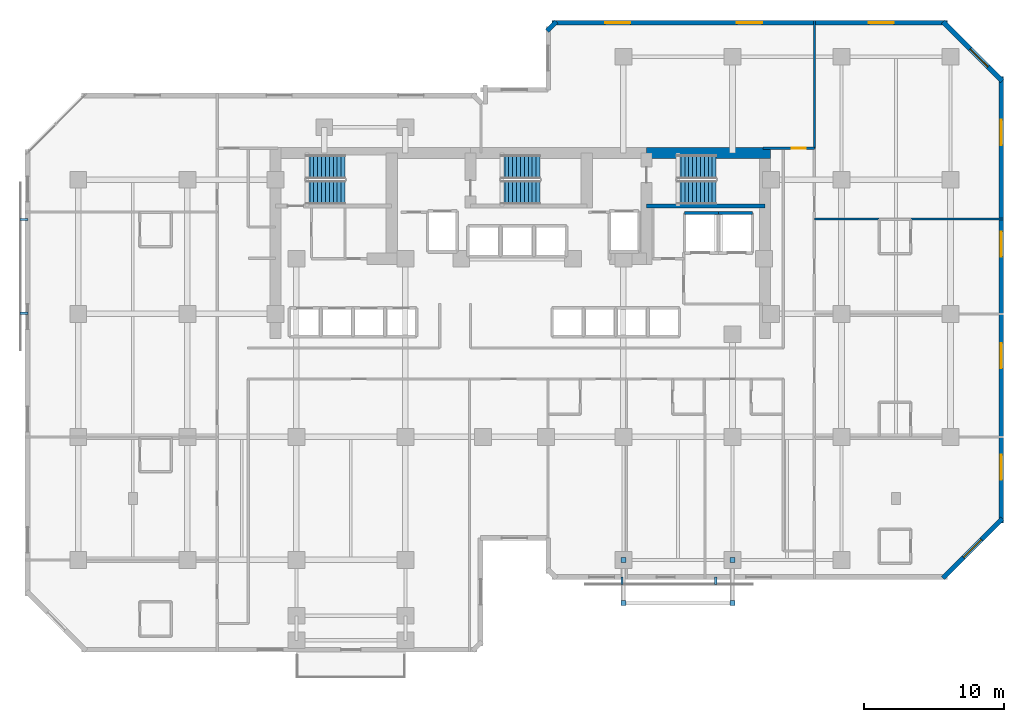
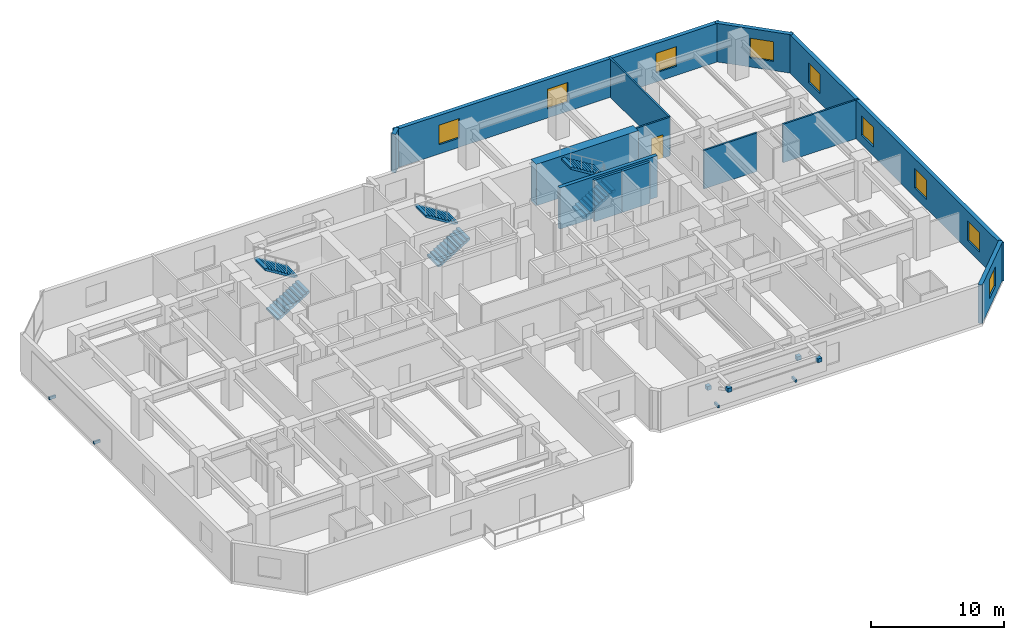
# One storey, part 10 of 12: 13 walls, 9 windows, 8 discrete accessories, 6 stair flights, 1 door, 10 openings, 3 elements without a shape of their own.
"""IFC4 building model written with IfcOpenShell, lengths in metres."""

from ifc_helpers import new_model, si_unit, direction, frame, frame_2d, origin, origin_2d, place, context, subcontext, project, spatial, polyline, rectangle, outline, extrude, material, layer, layer_set, type_object, element, fill, aggregate, save


model = new_model("IFC4")

# Units and contexts
model_context = context("Model", 3, precision=1e-05, world=origin(), true_north=direction((0.0, 1.0)))
body_context = subcontext(model_context, "Body", "Model", "MODEL_VIEW")
ifc_project = project(units=[si_unit("LENGTHUNIT", "METRE"), si_unit("AREAUNIT", "SQUARE_METRE"), si_unit("VOLUMEUNIT", "CUBIC_METRE"), si_unit("PLANEANGLEUNIT", "RADIAN"), si_unit("MASSUNIT", "GRAM", prefix="KILO")], contexts=[model_context])

# Site, building, storey
site_placement = place(None, origin())
site = spatial("IfcSite", under=ifc_project, at=site_placement, CompositionType="ELEMENT")
building_placement = place(site_placement, origin())
building = spatial("IfcBuilding", under=site, at=building_placement, Name="Kestravale Grand Hotel", CompositionType="ELEMENT")
storey_placement = place(building_placement, frame((0.0, 0.0, 103.199951171875)))
storey = spatial("IfcBuildingStorey", under=building, at=storey_placement, Name="L25", CompositionType="ELEMENT", Elevation=103.199951171875)

# Wall
ifc_material_1 = material(Name="Concrete f'c 60 MPa", Category="concrete")
ifc_layer_1 = layer(ifc_material_1, 0.800048828125)
ifc_layer_set_1 = layer_set([ifc_layer_1], Name="EW-CORE-800")
wall_type_1 = type_object("IfcWallType", Name="EW-CORE-800", PredefinedType="SHEAR", material=ifc_layer_set_1)
wall_1_placement = place(storey_placement, frame((48.449951171875, 40.320068359375, 0.0), z_axis=(0.0, 0.0, 1.0), x_axis=(1.0, 0.0, 0.0)))
element("IfcWall", 1, at=wall_1_placement, inside=storey, type_object=wall_type_1, Name="L25 core shear wall N3", PredefinedType="SHEAR", context=body_context, shape_type="SweptSolid", body=[
    extrude(rectangle(XDim=8.8701171875, YDim=0.800048828125, at=frame_2d((4.43505859375, 0.0))), origin(), (0.0, 0.0, 1.0), 3.800048828125),
])

# Wall, opening, window
ifc_material_2 = material(Name="Precast concrete f'c 45 MPa", Category="concrete")
ifc_layer_2 = layer(ifc_material_2, 0.340087890625)
ifc_layer_set_2 = layer_set([ifc_layer_2], Name="EW-PREC-340")
wall_type_2 = type_object("IfcWallType", Name="EW-PREC-340", PredefinedType="SOLIDWALL", material=ifc_layer_set_2)
wall_2_placement = place(storey_placement, frame((69.651611328125, 9.891845703125, 0.0), z_axis=(0.0, 0.0, 1.0), x_axis=(0.707106781187, 0.707106781187, 0.0)))
wall_2 = element("IfcWall", 2, at=wall_2_placement, inside=storey, type_object=wall_type_2, Name="L25 fluted precast facade wall 8", PredefinedType="SOLIDWALL", context=body_context, shape_type="SweptSolid", body=[
    extrude(rectangle(XDim=6.019775390625, YDim=0.340087890625, at=frame_2d((3.009765625, 0.0))), origin(), (0.0, 0.0, 1.0), 3.5400390625),
])
opening_1_placement = place(wall_2_placement, frame((2.10986328125, 0.0, 0.85009765625)))
opening_1 = element("IfcOpeningElement", 3, at=opening_1_placement, cuts=wall_2, Name="Opening W-GUEST-1800", PredefinedType="OPENING", context=body_context, shape_type="SweptSolid", body=[
    extrude(rectangle(XDim=1.800048828125, YDim=1.800048828125, at=frame_2d((0.89990234375, 0.89990234375))), frame((0.0, 0.179931640625, 0.0), z_axis=(0.0, -1.0, 0.0), x_axis=(1.0, 0.0, 0.0)), (0.0, 0.0, 1.0), 0.360107421875),
])
ifc_material_3 = material(Name="Insulated low-E double glazing in aluminium frame", Category="aluminium")
window_type = type_object("IfcWindowType", Name="W-GUEST-1800", PartitioningType="DOUBLE_PANEL_VERTICAL", PredefinedType="WINDOW", material=ifc_material_3)
window_1_placement = place(opening_1_placement, origin())
window_1 = element("IfcWindow", 4, at=window_1_placement, inside=storey, type_object=window_type, Name="L25 exterior window 8.1", OverallHeight=1.800048828125, OverallWidth=1.800048828125, PartitioningType="SINGLE_PANEL", PredefinedType="WINDOW", context=body_context, shape_type="SweptSolid", body=[
    extrude(rectangle(XDim=1.800048828125, YDim=1.800048828125, at=frame_2d((0.89990234375, 0.89990234375))), frame((0.0, 0.030029296875, 0.0), z_axis=(0.0, -1.0, 0.0), x_axis=(1.0, 0.0, 0.0)), (0.0, 0.0, 1.0), 0.06005859375),
])
fill(opening_1, window_1)

# Wall, openings, windows
wall_3_placement = place(storey_placement, frame((73.830078125, 13.830078125, 0.0), z_axis=(0.0, 0.0, 1.0), x_axis=(0.0, 1.0, 0.0)))
wall_3 = element("IfcWall", 5, at=wall_3_placement, inside=storey, type_object=wall_type_2, Name="L25 fluted precast facade wall 9", PredefinedType="SOLIDWALL", context=body_context, shape_type="SweptSolid", body=[
    extrude(rectangle(XDim=31.93994140625, YDim=0.340087890625, at=frame_2d((15.969970703125, 0.0))), origin(), (0.0, 0.0, 1.0), 3.5400390625),
])
opening_2_placement = place(wall_3_placement, frame((3.092529296875, 0.0, 0.85009765625)))
opening_2 = element("IfcOpeningElement", 6, at=opening_2_placement, cuts=wall_3, Name="Opening W-GUEST-1800", PredefinedType="OPENING", context=body_context, shape_type="SweptSolid", body=[
    extrude(rectangle(XDim=1.800048828125, YDim=1.800048828125, at=frame_2d((0.89990234375, 0.89990234375))), frame((0.0, 0.179931640625, 0.0), z_axis=(0.0, -1.0, 0.0), x_axis=(1.0, 0.0, 0.0)), (0.0, 0.0, 1.0), 0.360107421875),
])
opening_3_placement = place(wall_3_placement, frame((11.077392578125, 0.0, 0.85009765625)))
opening_3 = element("IfcOpeningElement", 7, at=opening_3_placement, cuts=wall_3, Name="Opening W-GUEST-1800", PredefinedType="OPENING", context=body_context, shape_type="SweptSolid", body=[
    extrude(rectangle(XDim=1.800048828125, YDim=1.800048828125, at=frame_2d((0.89990234375, 0.89990234375))), frame((0.0, 0.179931640625, 0.0), z_axis=(0.0, -1.0, 0.0), x_axis=(1.0, 0.0, 0.0)), (0.0, 0.0, 1.0), 0.360107421875),
])
opening_4_placement = place(wall_3_placement, frame((19.0625, 0.0, 0.85009765625)))
opening_4 = element("IfcOpeningElement", 8, at=opening_4_placement, cuts=wall_3, Name="Opening W-GUEST-1800", PredefinedType="OPENING", context=body_context, shape_type="SweptSolid", body=[
    extrude(rectangle(XDim=1.800048828125, YDim=1.800048828125, at=frame_2d((0.89990234375, 0.89990234375))), frame((0.0, 0.179931640625, 0.0), z_axis=(0.0, -1.0, 0.0), x_axis=(1.0, 0.0, 0.0)), (0.0, 0.0, 1.0), 0.360107421875),
])
opening_5_placement = place(wall_3_placement, frame((27.047607421875, 0.0, 0.85009765625)))
opening_5 = element("IfcOpeningElement", 9, at=opening_5_placement, cuts=wall_3, Name="Opening W-GUEST-1800", PredefinedType="OPENING", context=body_context, shape_type="SweptSolid", body=[
    extrude(rectangle(XDim=1.800048828125, YDim=1.800048828125, at=frame_2d((0.89990234375, 0.89990234375))), frame((0.0, 0.179931640625, 0.0), z_axis=(0.0, -1.0, 0.0), x_axis=(1.0, 0.0, 0.0)), (0.0, 0.0, 1.0), 0.360107421875),
])
window_2_placement = place(opening_2_placement, origin())
window_2 = element("IfcWindow", 10, at=window_2_placement, inside=storey, type_object=window_type, Name="L25 exterior window 9.1", OverallHeight=1.800048828125, OverallWidth=1.800048828125, PartitioningType="SINGLE_PANEL", PredefinedType="WINDOW", context=body_context, shape_type="SweptSolid", body=[
    extrude(rectangle(XDim=1.800048828125, YDim=1.800048828125, at=frame_2d((0.89990234375, 0.89990234375))), frame((0.0, 0.030029296875, 0.0), z_axis=(0.0, -1.0, 0.0), x_axis=(1.0, 0.0, 0.0)), (0.0, 0.0, 1.0), 0.06005859375),
])
fill(opening_2, window_2)
window_3_placement = place(opening_3_placement, origin())
window_3 = element("IfcWindow", 11, at=window_3_placement, inside=storey, type_object=window_type, Name="L25 exterior window 9.2", OverallHeight=1.800048828125, OverallWidth=1.800048828125, PartitioningType="SINGLE_PANEL", PredefinedType="WINDOW", context=body_context, shape_type="SweptSolid", body=[
    extrude(rectangle(XDim=1.800048828125, YDim=1.800048828125, at=frame_2d((0.89990234375, 0.89990234375))), frame((0.0, 0.030029296875, 0.0), z_axis=(0.0, -1.0, 0.0), x_axis=(1.0, 0.0, 0.0)), (0.0, 0.0, 1.0), 0.06005859375),
])
fill(opening_3, window_3)
window_4_placement = place(opening_4_placement, origin())
window_4 = element("IfcWindow", 12, at=window_4_placement, inside=storey, type_object=window_type, Name="L25 exterior window 9.3", OverallHeight=1.800048828125, OverallWidth=1.800048828125, PartitioningType="SINGLE_PANEL", PredefinedType="WINDOW", context=body_context, shape_type="SweptSolid", body=[
    extrude(rectangle(XDim=1.800048828125, YDim=1.800048828125, at=frame_2d((0.89990234375, 0.89990234375))), frame((0.0, 0.030029296875, 0.0), z_axis=(0.0, -1.0, 0.0), x_axis=(1.0, 0.0, 0.0)), (0.0, 0.0, 1.0), 0.06005859375),
])
fill(opening_4, window_4)
window_5_placement = place(opening_5_placement, origin())
window_5 = element("IfcWindow", 13, at=window_5_placement, inside=storey, type_object=window_type, Name="L25 exterior window 9.4", OverallHeight=1.800048828125, OverallWidth=1.800048828125, PartitioningType="SINGLE_PANEL", PredefinedType="WINDOW", context=body_context, shape_type="SweptSolid", body=[
    extrude(rectangle(XDim=1.800048828125, YDim=1.800048828125, at=frame_2d((0.89990234375, 0.89990234375))), frame((0.0, 0.030029296875, 0.0), z_axis=(0.0, -1.0, 0.0), x_axis=(1.0, 0.0, 0.0)), (0.0, 0.0, 1.0), 0.06005859375),
])
fill(opening_5, window_5)

# Wall, opening, window
wall_4_placement = place(storey_placement, frame((73.908203125, 45.451416015625, 0.0), z_axis=(0.0, 0.0, 1.0), x_axis=(-0.707106781187, 0.707106781187, 0.0)))
wall_4 = element("IfcWall", 14, at=wall_4_placement, inside=storey, type_object=wall_type_2, Name="L25 fluted precast facade wall 10", PredefinedType="SOLIDWALL", context=body_context, shape_type="SweptSolid", body=[
    extrude(rectangle(XDim=6.019775390625, YDim=0.340087890625, at=frame_2d((3.009765625, 0.0))), origin(), (0.0, 0.0, 1.0), 3.5400390625),
])
opening_6_placement = place(wall_4_placement, frame((1.4599609375, 0.0, 0.85009765625)))
opening_6 = element("IfcOpeningElement", 15, at=opening_6_placement, cuts=wall_4, Name="Opening W-GUEST-1800", PredefinedType="OPENING", context=body_context, shape_type="SweptSolid", body=[
    extrude(rectangle(XDim=1.800048828125, YDim=1.800048828125, at=frame_2d((0.89990234375, 0.89990234375))), frame((0.0, 0.179931640625, 0.0), z_axis=(0.0, -1.0, 0.0), x_axis=(1.0, 0.0, 0.0)), (0.0, 0.0, 1.0), 0.360107421875),
])
window_6_placement = place(opening_6_placement, origin())
window_6 = element("IfcWindow", 16, at=window_6_placement, inside=storey, type_object=window_type, Name="L25 exterior window 10.1", OverallHeight=1.800048828125, OverallWidth=1.800048828125, PartitioningType="SINGLE_PANEL", PredefinedType="WINDOW", context=body_context, shape_type="SweptSolid", body=[
    extrude(rectangle(XDim=1.800048828125, YDim=1.800048828125, at=frame_2d((0.89990234375, 0.89990234375))), frame((0.0, 0.030029296875, 0.0), z_axis=(0.0, -1.0, 0.0), x_axis=(1.0, 0.0, 0.0)), (0.0, 0.0, 1.0), 0.06005859375),
])
fill(opening_6, window_6)

# Wall, openings, windows
wall_5_placement = place(storey_placement, frame((69.969970703125, 49.6298828125, 0.0), z_axis=(0.0, 0.0, 1.0), x_axis=(-1.0, 0.0, 0.0)))
wall_5 = element("IfcWall", 17, at=wall_5_placement, inside=storey, type_object=wall_type_2, Name="L25 fluted precast facade wall 11", PredefinedType="SOLIDWALL", context=body_context, shape_type="SweptSolid", body=[
    extrude(rectangle(XDim=28.2900390625, YDim=0.340087890625, at=frame_2d((14.14501953125, 0.0))), origin(), (0.0, 0.0, 1.0), 3.5400390625),
])
opening_7_placement = place(wall_5_placement, frame((3.81494140625, 0.0, 0.85009765625)))
opening_7 = element("IfcOpeningElement", 18, at=opening_7_placement, cuts=wall_5, Name="Opening W-GUEST-1800", PredefinedType="OPENING", context=body_context, shape_type="SweptSolid", body=[
    extrude(rectangle(XDim=1.800048828125, YDim=1.800048828125, at=frame_2d((0.89990234375, 0.89990234375))), frame((0.0, 0.179931640625, 0.0), z_axis=(0.0, -1.0, 0.0), x_axis=(1.0, 0.0, 0.0)), (0.0, 0.0, 1.0), 0.360107421875),
])
opening_8_placement = place(wall_5_placement, frame((13.2451171875, 0.0, 0.85009765625)))
opening_8 = element("IfcOpeningElement", 19, at=opening_8_placement, cuts=wall_5, Name="Opening W-GUEST-1800", PredefinedType="OPENING", context=body_context, shape_type="SweptSolid", body=[
    extrude(rectangle(XDim=1.800048828125, YDim=1.800048828125, at=frame_2d((0.89990234375, 0.89990234375))), frame((0.0, 0.179931640625, 0.0), z_axis=(0.0, -1.0, 0.0), x_axis=(1.0, 0.0, 0.0)), (0.0, 0.0, 1.0), 0.360107421875),
])
opening_9_placement = place(wall_5_placement, frame((22.675048828125, 0.0, 0.85009765625)))
opening_9 = element("IfcOpeningElement", 20, at=opening_9_placement, cuts=wall_5, Name="Opening W-GUEST-1800", PredefinedType="OPENING", context=body_context, shape_type="SweptSolid", body=[
    extrude(rectangle(XDim=1.800048828125, YDim=1.800048828125, at=frame_2d((0.89990234375, 0.89990234375))), frame((0.0, 0.179931640625, 0.0), z_axis=(0.0, -1.0, 0.0), x_axis=(1.0, 0.0, 0.0)), (0.0, 0.0, 1.0), 0.360107421875),
])
window_7_placement = place(opening_7_placement, origin())
window_7 = element("IfcWindow", 21, at=window_7_placement, inside=storey, type_object=window_type, Name="L25 exterior window 11.1", OverallHeight=1.800048828125, OverallWidth=1.800048828125, PartitioningType="SINGLE_PANEL", PredefinedType="WINDOW", context=body_context, shape_type="SweptSolid", body=[
    extrude(rectangle(XDim=1.800048828125, YDim=1.800048828125, at=frame_2d((0.89990234375, 0.89990234375))), frame((0.0, 0.030029296875, 0.0), z_axis=(0.0, -1.0, 0.0), x_axis=(1.0, 0.0, 0.0)), (0.0, 0.0, 1.0), 0.06005859375),
])
fill(opening_7, window_7)
window_8_placement = place(opening_8_placement, origin())
window_8 = element("IfcWindow", 22, at=window_8_placement, inside=storey, type_object=window_type, Name="L25 exterior window 11.2", OverallHeight=1.800048828125, OverallWidth=1.800048828125, PartitioningType="SINGLE_PANEL", PredefinedType="WINDOW", context=body_context, shape_type="SweptSolid", body=[
    extrude(rectangle(XDim=1.800048828125, YDim=1.800048828125, at=frame_2d((0.89990234375, 0.89990234375))), frame((0.0, 0.030029296875, 0.0), z_axis=(0.0, -1.0, 0.0), x_axis=(1.0, 0.0, 0.0)), (0.0, 0.0, 1.0), 0.06005859375),
])
fill(opening_8, window_8)
window_9_placement = place(opening_9_placement, origin())
window_9 = element("IfcWindow", 23, at=window_9_placement, inside=storey, type_object=window_type, Name="L25 exterior window 11.3", OverallHeight=1.800048828125, OverallWidth=1.800048828125, PartitioningType="SINGLE_PANEL", PredefinedType="WINDOW", context=body_context, shape_type="SweptSolid", body=[
    extrude(rectangle(XDim=1.800048828125, YDim=1.800048828125, at=frame_2d((0.89990234375, 0.89990234375))), frame((0.0, 0.030029296875, 0.0), z_axis=(0.0, -1.0, 0.0), x_axis=(1.0, 0.0, 0.0)), (0.0, 0.0, 1.0), 0.06005859375),
])
fill(opening_9, window_9)

# Walls
wall_6_placement = place(storey_placement, frame((41.99853515625, 49.7080078125, 0.0), z_axis=(0.0, 0.0, 1.0), x_axis=(-0.707238225886, -0.706975312048, 0.0)))
element("IfcWall", 24, at=wall_6_placement, inside=storey, type_object=wall_type_2, Name="L25 fluted precast facade wall 12", PredefinedType="SOLIDWALL", context=body_context, shape_type="SweptSolid", body=[
    extrude(rectangle(XDim=0.9287109375, YDim=0.340087890625, at=frame_2d((0.46435546875, 0.0))), origin(), (0.0, 0.0, 1.0), 3.5400390625),
])
ifc_material_4 = material(Name="Concrete f'c 45 MPa", Category="concrete")
ifc_layer_3 = layer(ifc_material_4, 0.300048828125)
ifc_layer_set_3 = layer_set([ifc_layer_3], Name="EW-STAIR-300")
wall_type_3 = type_object("IfcWallType", Name="EW-STAIR-300", PredefinedType="SHEAR", material=ifc_layer_set_3)
wall_7_placement = place(storey_placement, frame((48.449951171875, 36.52001953125, 0.0), z_axis=(0.0, 0.0, 1.0), x_axis=(1.0, 0.0, 0.0)))
element("IfcWall", 25, at=wall_7_placement, inside=storey, type_object=wall_type_3, Name="L25 stair enclosure shear wall SST3", PredefinedType="SHEAR", context=body_context, shape_type="SweptSolid", body=[
    extrude(rectangle(XDim=8.469970703125, YDim=0.300048828125, at=frame_2d((4.23486328125, 0.0))), origin(), (0.0, 0.0, 1.0), 3.800048828125),
])
ifc_material_5 = material(Name="Concrete f'c 45 MPa", Category="concrete")
ifc_layer_4 = layer(ifc_material_5, 0.219970703125)
ifc_layer_set_4 = layer_set([ifc_layer_4], Name="IW-SHAFT-220")
wall_type_4 = type_object("IfcWallType", Name="IW-SHAFT-220", PredefinedType="SHEAR", material=ifc_layer_set_4)
wall_8_placement = place(storey_placement, frame((51.179931640625, 36.030029296875, 0.0), z_axis=(0.0, 0.0, 1.0), x_axis=(1.0, 0.0, 0.0)))
element("IfcWall", 26, at=wall_8_placement, inside=storey, type_object=wall_type_4, Name="L25 SL-1 north shaft wall", PredefinedType="SHEAR", context=body_context, shape_type="SweptSolid", body=[
    extrude(rectangle(XDim=2.420166015625, YDim=0.219970703125, at=frame_2d((1.2099609375, 0.0))), origin(), (0.0, 0.0, 1.0), 3.800048828125),
])
wall_9_placement = place(storey_placement, frame((53.60009765625, 36.030029296875, 0.0), z_axis=(0.0, 0.0, 1.0), x_axis=(1.0, 0.0, 0.0)))
element("IfcWall", 27, at=wall_9_placement, inside=storey, type_object=wall_type_4, Name="L25 SL-2 north shaft wall", PredefinedType="SHEAR", context=body_context, shape_type="SweptSolid", body=[
    extrude(rectangle(XDim=2.419921875, YDim=0.219970703125, at=frame_2d((1.2099609375, 0.0))), origin(), (0.0, 0.0, 1.0), 3.800048828125),
])

# Wall, opening, door
ifc_material_6 = material(Name="Double-stud STC 52 acoustic demising partition", Category="other")
ifc_layer_5 = layer(ifc_material_6, 0.14990234375)
ifc_layer_set_5 = layer_set([ifc_layer_5], Name="IW-UNIT-150")
wall_type_5 = type_object("IfcWallType", Name="IW-UNIT-150", PredefinedType="PARTITIONING", material=ifc_layer_set_5)
wall_10_placement = place(storey_placement, frame((56.800048828125, 40.64990234375, 0.0), z_axis=(0.0, 0.0, 1.0), x_axis=(1.0, 0.0, 0.0)))
wall_10 = element("IfcWall", 28, at=wall_10_placement, inside=storey, type_object=wall_type_5, Name="W-L25-SE-N", PredefinedType="PARTITIONING", context=body_context, shape_type="SweptSolid", body=[
    extrude(rectangle(XDim=3.659912109375, YDim=0.14990234375, at=frame_2d((1.830078125, 0.0))), origin(), (0.0, 0.0, 1.0), 3.5400390625),
])
opening_10_placement = place(wall_10_placement, frame((2.050048828125, 0.0, 0.0)))
opening_10 = element("IfcOpeningElement", 29, at=opening_10_placement, cuts=wall_10, Name="Opening D-GUEST-1000", PredefinedType="OPENING", context=body_context, shape_type="SweptSolid", body=[
    extrude(rectangle(XDim=1.0, YDim=2.14990234375, at=frame_2d((0.5, 1.074951171875))), frame((0.0, 0.0849609375, 0.0), z_axis=(0.0, -1.0, 0.0), x_axis=(1.0, 0.0, 0.0)), (0.0, 0.0, 1.0), 0.169921875),
])
ifc_material_7 = material(Name="Accessible walnut veneer hotel entrance fire door", Category="wood")
door_type = type_object("IfcDoorType", Name="D-GUEST-1000", OperationType="NOTDEFINED", PredefinedType="DOOR", material=ifc_material_7)
door_placement = place(opening_10_placement, origin())
door = element("IfcDoor", 30, at=door_placement, inside=storey, type_object=door_type, Name="L25 NE Gallery Door", OperationType="SINGLE_SWING_LEFT", OverallHeight=2.14990234375, OverallWidth=1.0, PredefinedType="DOOR", context=body_context, shape_type="SweptSolid", body=[
    extrude(rectangle(XDim=1.0, YDim=2.14990234375, at=frame_2d((0.5, 1.074951171875))), frame((0.0, 0.02490234375, 0.0), z_axis=(0.0, -1.0, 0.0), x_axis=(1.0, 0.0, 0.0)), (0.0, 0.0, 1.0), 0.050048828125),
])
fill(opening_10, door)

# Walls
wall_11_placement = place(storey_placement, frame((60.4599609375, 40.64990234375, 0.0), z_axis=(0.0, 0.0, 1.0), x_axis=(0.0, 1.0, 0.0)))
element("IfcWall", 31, at=wall_11_placement, inside=storey, type_object=wall_type_5, Name="W-L25-NGE-E", PredefinedType="PARTITIONING", context=body_context, shape_type="SweptSolid", body=[
    extrude(rectangle(XDim=9.130126953125, YDim=0.14990234375, at=frame_2d((4.56494140625, 0.0))), origin(), (0.0, 0.0, 1.0), 3.5400390625),
])
wall_12_placement = place(storey_placement, frame((60.4599609375, 35.60009765625, 0.0), z_axis=(0.0, 0.0, 1.0), x_axis=(1.0, 0.0, 0.0)))
element("IfcWall", 32, at=wall_12_placement, inside=storey, type_object=wall_type_5, Name="W-L25-EW-3", PredefinedType="PARTITIONING", context=body_context, shape_type="SweptSolid", body=[
    extrude(rectangle(XDim=4.64013671875, YDim=0.14990234375, at=frame_2d((2.320068359375, 0.0))), origin(), (0.0, 0.0, 1.0), 3.5400390625),
])
wall_13_placement = place(storey_placement, frame((67.35009765625, 35.60009765625, 0.0), z_axis=(0.0, 0.0, 1.0), x_axis=(1.0, 0.0, 0.0)))
element("IfcWall", 33, at=wall_13_placement, inside=storey, type_object=wall_type_5, Name="W-L25-EW-3", PredefinedType="PARTITIONING", context=body_context, shape_type="SweptSolid", body=[
    extrude(rectangle(XDim=6.6298828125, YDim=0.14990234375, at=frame_2d((3.31494140625, 0.0))), origin(), (0.0, 0.0, 1.0), 3.5400390625),
])

# Stair, stair flights
ifc_material_8 = material(Name="Concrete f'c 45 MPa", Category="concrete")
stair_type = type_object("IfcStairType", Name="ST-CORE-380", PredefinedType="HALF_TURN_STAIR", material=ifc_material_8)
stair_1_placement = place(storey_placement, origin())
stair_1 = element("IfcStair", 34, at=stair_1_placement, inside=storey, type_object=stair_type, Name="L25 ST-1", PredefinedType="HALF_TURN_STAIR")
ifc_material_9 = material(Name="Concrete f'c 45 MPa", Category="concrete")
stair_flight_type = type_object("IfcStairFlightType", Name="STF-CORE-380", PredefinedType="STRAIGHT", material=ifc_material_9)
stair_flight_1_placement = place(storey_placement, frame((24.080078125, 37.489990234375, 0.0), z_axis=(0.0, 0.0, 1.0), x_axis=(1.0, 0.0, 0.0)))
stair_flight_1 = element("IfcStairFlight", 35, at=stair_flight_1_placement, type_object=stair_flight_type, Name="ST-1 flight 1", NumberOfRisers=11, NumberOfTreads=10, PredefinedType="STRAIGHT", RiserHeight=0.172727273, TreadLength=0.28, context=body_context, shape_type="SweptSolid", body=[
    extrude(outline(polyline([(0.0, 0.0), (0.0, 0.172607421875), (0.280029296875, 0.172607421875), (0.280029296875, 0.345458984375), (0.56005859375, 0.345458984375), (0.56005859375, 0.51806640625), (0.840087890625, 0.51806640625), (0.840087890625, 0.69091796875), (1.1201171875, 0.69091796875), (1.1201171875, 0.863525390625), (1.39990234375, 0.863525390625), (1.39990234375, 1.036376953125), (1.679931640625, 1.036376953125), (1.679931640625, 1.208984375), (1.9599609375, 1.208984375), (1.9599609375, 1.3818359375), (2.239990234375, 1.3818359375), (2.239990234375, 1.554443359375), (2.52001953125, 1.554443359375), (2.52001953125, 1.727294921875), (2.800048828125, 1.727294921875), (2.800048828125, 1.89990234375), (2.800048828125, 1.551025390625), (0.285400390625, 0.0), (0.0, 0.0)])), frame((0.0, 0.83984375, 0.0), z_axis=(0.0, -1.0, 0.0), x_axis=(1.0, 0.0, 0.0)), (0.0, 0.0, 1.0), 1.679931640625),
])
stair_flight_2_placement = place(storey_placement, frame((26.8798828125, 39.320068359375, 1.900146484375), z_axis=(0.0, 0.0, 1.0), x_axis=(-1.0, 0.0, 0.0)))
stair_flight_2 = element("IfcStairFlight", 36, at=stair_flight_2_placement, type_object=stair_flight_type, Name="ST-1 flight 2", NumberOfRisers=11, NumberOfTreads=10, PredefinedType="STRAIGHT", RiserHeight=0.172727273, TreadLength=0.28, context=body_context, shape_type="SweptSolid", body=[
    extrude(outline(polyline([(0.0, 0.0), (0.0, 0.172607421875), (0.280029296875, 0.172607421875), (0.280029296875, 0.345458984375), (0.56005859375, 0.345458984375), (0.56005859375, 0.51806640625), (0.840087890625, 0.51806640625), (0.840087890625, 0.69091796875), (1.1201171875, 0.69091796875), (1.1201171875, 0.863525390625), (1.39990234375, 0.863525390625), (1.39990234375, 1.036376953125), (1.679931640625, 1.036376953125), (1.679931640625, 1.208984375), (1.9599609375, 1.208984375), (1.9599609375, 1.3818359375), (2.239990234375, 1.3818359375), (2.239990234375, 1.554443359375), (2.52001953125, 1.554443359375), (2.52001953125, 1.727294921875), (2.800048828125, 1.727294921875), (2.800048828125, 1.89990234375), (2.800048828125, 1.551025390625), (0.285400390625, 0.0), (0.0, 0.0)])), frame((0.0, 0.83984375, 0.0), z_axis=(0.0, -1.0, 0.0), x_axis=(1.0, 0.0, 0.0)), (0.0, 0.0, 1.0), 1.679931640625),
])
aggregate(stair_1, [stair_flight_1, stair_flight_2])

stair_2_placement = place(storey_placement, origin())
stair_2 = element("IfcStair", 37, at=stair_2_placement, inside=storey, type_object=stair_type, Name="L25 ST-2", PredefinedType="HALF_TURN_STAIR")
stair_flight_3_placement = place(storey_placement, frame((38.030029296875, 37.489990234375, 0.0), z_axis=(0.0, 0.0, 1.0), x_axis=(1.0, 0.0, 0.0)))
stair_flight_3 = element("IfcStairFlight", 38, at=stair_flight_3_placement, type_object=stair_flight_type, Name="ST-2 flight 1", NumberOfRisers=11, NumberOfTreads=10, PredefinedType="STRAIGHT", RiserHeight=0.172727273, TreadLength=0.28, context=body_context, shape_type="SweptSolid", body=[
    extrude(outline(polyline([(0.0, 0.0), (0.0, 0.172607421875), (0.280029296875, 0.172607421875), (0.280029296875, 0.345458984375), (0.56005859375, 0.345458984375), (0.56005859375, 0.51806640625), (0.840087890625, 0.51806640625), (0.840087890625, 0.69091796875), (1.1201171875, 0.69091796875), (1.1201171875, 0.863525390625), (1.39990234375, 0.863525390625), (1.39990234375, 1.036376953125), (1.679931640625, 1.036376953125), (1.679931640625, 1.208984375), (1.9599609375, 1.208984375), (1.9599609375, 1.3818359375), (2.239990234375, 1.3818359375), (2.239990234375, 1.554443359375), (2.52001953125, 1.554443359375), (2.52001953125, 1.727294921875), (2.800048828125, 1.727294921875), (2.800048828125, 1.89990234375), (2.800048828125, 1.551025390625), (0.285400390625, 0.0), (0.0, 0.0)])), frame((0.0, 0.83984375, 0.0), z_axis=(0.0, -1.0, 0.0), x_axis=(1.0, 0.0, 0.0)), (0.0, 0.0, 1.0), 1.679931640625),
])
stair_flight_4_placement = place(storey_placement, frame((40.830078125, 39.320068359375, 1.900146484375), z_axis=(0.0, 0.0, 1.0), x_axis=(-1.0, 0.0, 0.0)))
stair_flight_4 = element("IfcStairFlight", 39, at=stair_flight_4_placement, type_object=stair_flight_type, Name="ST-2 flight 2", NumberOfRisers=11, NumberOfTreads=10, PredefinedType="STRAIGHT", RiserHeight=0.172727273, TreadLength=0.28, context=body_context, shape_type="SweptSolid", body=[
    extrude(outline(polyline([(0.0, 0.0), (0.0, 0.172607421875), (0.280029296875, 0.172607421875), (0.280029296875, 0.345458984375), (0.56005859375, 0.345458984375), (0.56005859375, 0.51806640625), (0.840087890625, 0.51806640625), (0.840087890625, 0.69091796875), (1.1201171875, 0.69091796875), (1.1201171875, 0.863525390625), (1.39990234375, 0.863525390625), (1.39990234375, 1.036376953125), (1.679931640625, 1.036376953125), (1.679931640625, 1.208984375), (1.9599609375, 1.208984375), (1.9599609375, 1.3818359375), (2.239990234375, 1.3818359375), (2.239990234375, 1.554443359375), (2.52001953125, 1.554443359375), (2.52001953125, 1.727294921875), (2.800048828125, 1.727294921875), (2.800048828125, 1.89990234375), (2.800048828125, 1.551025390625), (0.285400390625, 0.0), (0.0, 0.0)])), frame((0.0, 0.83984375, 0.0), z_axis=(0.0, -1.0, 0.0), x_axis=(1.0, 0.0, 0.0)), (0.0, 0.0, 1.0), 1.679931640625),
])
aggregate(stair_2, [stair_flight_3, stair_flight_4])

stair_3_placement = place(storey_placement, origin())
stair_3 = element("IfcStair", 40, at=stair_3_placement, inside=storey, type_object=stair_type, Name="L25 ST-3", PredefinedType="HALF_TURN_STAIR")
stair_flight_5_placement = place(storey_placement, frame((50.6298828125, 37.489990234375, 0.0), z_axis=(0.0, 0.0, 1.0), x_axis=(1.0, 0.0, 0.0)))
stair_flight_5 = element("IfcStairFlight", 41, at=stair_flight_5_placement, type_object=stair_flight_type, Name="ST-3 flight 1", NumberOfRisers=11, NumberOfTreads=10, PredefinedType="STRAIGHT", RiserHeight=0.172727273, TreadLength=0.28, context=body_context, shape_type="SweptSolid", body=[
    extrude(outline(polyline([(0.0, 0.0), (0.0, 0.172607421875), (0.280029296875, 0.172607421875), (0.280029296875, 0.345458984375), (0.56005859375, 0.345458984375), (0.56005859375, 0.51806640625), (0.840087890625, 0.51806640625), (0.840087890625, 0.69091796875), (1.1201171875, 0.69091796875), (1.1201171875, 0.863525390625), (1.39990234375, 0.863525390625), (1.39990234375, 1.036376953125), (1.679931640625, 1.036376953125), (1.679931640625, 1.208984375), (1.9599609375, 1.208984375), (1.9599609375, 1.3818359375), (2.239990234375, 1.3818359375), (2.239990234375, 1.554443359375), (2.52001953125, 1.554443359375), (2.52001953125, 1.727294921875), (2.800048828125, 1.727294921875), (2.800048828125, 1.89990234375), (2.800048828125, 1.551025390625), (0.285400390625, 0.0), (0.0, 0.0)])), frame((0.0, 0.83984375, 0.0), z_axis=(0.0, -1.0, 0.0), x_axis=(1.0, 0.0, 0.0)), (0.0, 0.0, 1.0), 1.679931640625),
])
stair_flight_6_placement = place(storey_placement, frame((53.429931640625, 39.320068359375, 1.900146484375), z_axis=(0.0, 0.0, 1.0), x_axis=(-1.0, 0.0, 0.0)))
stair_flight_6 = element("IfcStairFlight", 42, at=stair_flight_6_placement, type_object=stair_flight_type, Name="ST-3 flight 2", NumberOfRisers=11, NumberOfTreads=10, PredefinedType="STRAIGHT", RiserHeight=0.172727273, TreadLength=0.28, context=body_context, shape_type="SweptSolid", body=[
    extrude(outline(polyline([(0.0, 0.0), (0.0, 0.172607421875), (0.280029296875, 0.172607421875), (0.280029296875, 0.345458984375), (0.56005859375, 0.345458984375), (0.56005859375, 0.51806640625), (0.840087890625, 0.51806640625), (0.840087890625, 0.69091796875), (1.1201171875, 0.69091796875), (1.1201171875, 0.863525390625), (1.39990234375, 0.863525390625), (1.39990234375, 1.036376953125), (1.679931640625, 1.036376953125), (1.679931640625, 1.208984375), (1.9599609375, 1.208984375), (1.9599609375, 1.3818359375), (2.239990234375, 1.3818359375), (2.239990234375, 1.554443359375), (2.52001953125, 1.554443359375), (2.52001953125, 1.727294921875), (2.800048828125, 1.727294921875), (2.800048828125, 1.89990234375), (2.800048828125, 1.551025390625), (0.285400390625, 0.0), (0.0, 0.0)])), frame((0.0, 0.83984375, 0.0), z_axis=(0.0, -1.0, 0.0), x_axis=(1.0, 0.0, 0.0)), (0.0, 0.0, 1.0), 1.679931640625),
])
aggregate(stair_3, [stair_flight_5, stair_flight_6])

# Discrete accessories
ifc_material_10 = material(Name="Steel ASTM A572 Grade 50 hot-dip galvanised bracket", Category="steel")
discrete_accessory_type = type_object("IfcDiscreteAccessoryType", Name="ACC-BRK-STL", PredefinedType="BRACKET", material=ifc_material_10)
for number, where, z_axis, x_axis, name in (
    (43, (46.800048828125, 11.199951171875, 1.19384765625), (0.0, 0.0, 1.0), (1.0, 0.0, 0.0), "L26 terrace strut column bracket 1"),
    (44, (46.800048828125, 8.10009765625, 2.89404296875), (0.0, 0.0, 1.0), (1.0, 0.0, 0.0), "L26 terrace strut beam bracket 1"),
    (45, (54.60009765625, 11.199951171875, 1.19384765625), (0.0, 0.0, 1.0), (1.0, 0.0, 0.0), "L26 terrace strut column bracket 2"),
    (46, (54.60009765625, 8.10009765625, 2.89404296875), (0.0, 0.0, 1.0), (1.0, 0.0, 0.0), "L26 terrace strut beam bracket 2"),
):
    element("IfcDiscreteAccessory", number, at=place(storey_placement, frame(where, z_axis=z_axis, x_axis=x_axis)), inside=storey, type_object=discrete_accessory_type, Name=name, PredefinedType="BRACKET", context=body_context, shape_type="SweptSolid", body=[
        extrude(rectangle(XDim=0.360107421875, YDim=0.360107421875, at=origin_2d()), origin(), (0.0, 0.0, 1.0), 0.360107421875),
    ])
for number, where, z_axis, x_axis, name in (
    (47, (46.68994140625, 9.705078125, 0.56005859375), (0.0, 0.0, 1.0), (1.0, 0.0, 0.0), "L25 solar screen standoff bracket 1"),
    (48, (53.409912109375, 9.705078125, 0.56005859375), (0.0, 0.0, 1.0), (1.0, 0.0, 0.0), "L25 solar screen standoff bracket 2"),
    (49, (3.905029296875, 35.56005859375, 0.56005859375), (0.0, 0.0, 1.0), (0.0, -1.0, 0.0), "L25 solar screen standoff bracket 1"),
    (50, (3.905029296875, 28.840087890625, 0.56005859375), (0.0, 0.0, 1.0), (0.0, -1.0, 0.0), "L25 solar screen standoff bracket 2"),
):
    element("IfcDiscreteAccessory", number, at=place(storey_placement, frame(where, z_axis=z_axis, x_axis=x_axis)), inside=storey, type_object=discrete_accessory_type, Name=name, PredefinedType="BRACKET", context=body_context, shape_type="SweptSolid", body=[
        extrude(rectangle(XDim=0.159912109375, YDim=0.56005859375, at=origin_2d()), origin(), (0.0, 0.0, 1.0), 0.239990234375),
    ])

save(model, "model.ifc")
